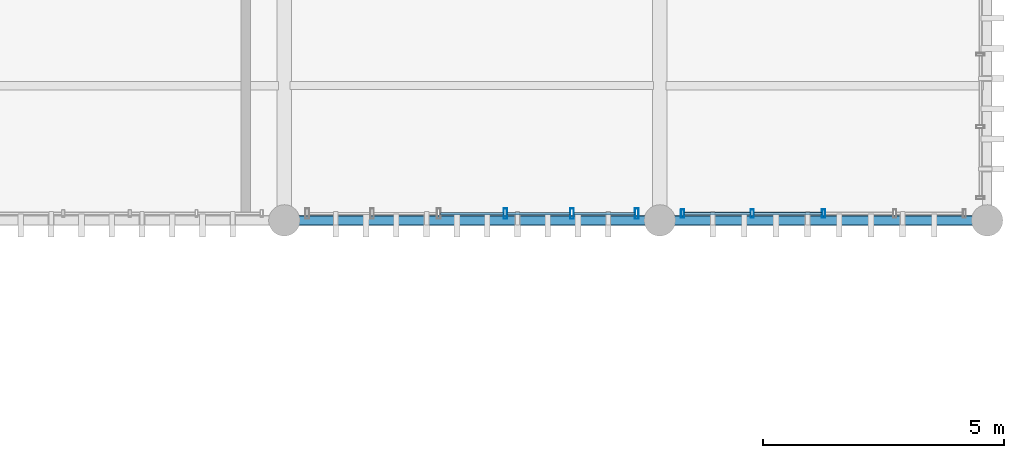
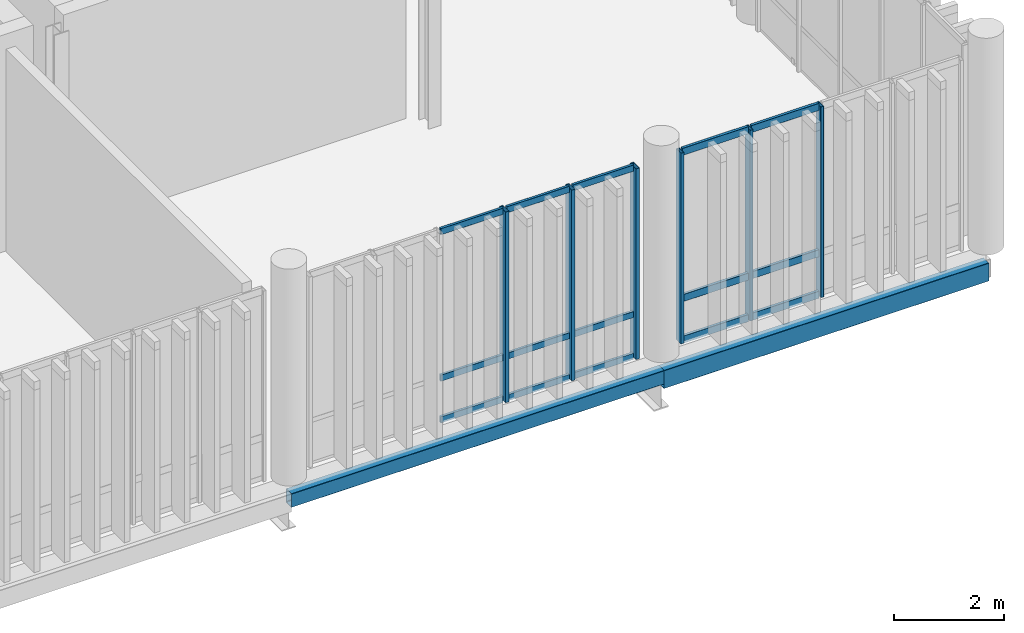
# One storey, part 47 of 86: 21 members, 2 beams, 2 elements without a shape of their own.
"""IFC4 building model written with IfcOpenShell, lengths in metres."""

from ifc_helpers import new_model, si_unit, direction, frame, origin_with_axes, origin_2d_with_axis, place, context, subcontext, project, spatial, hollow_rectangle, extrude, material, material_profile, profile_set, type_object, element, aggregate, save


model = new_model("IFC4")

# Units and contexts
model_context = context("Model", 3, precision=1e-05, world=origin_with_axes(), true_north=direction((0.0, 1.0)))
body_context = subcontext(model_context, "Body", "Model", "MODEL_VIEW")
ifc_project = project(units=[si_unit("LENGTHUNIT", "METRE"), si_unit("AREAUNIT", "SQUARE_METRE"), si_unit("VOLUMEUNIT", "CUBIC_METRE"), si_unit("PLANEANGLEUNIT", "RADIAN"), si_unit("MASSUNIT", "GRAM", prefix="KILO"), si_unit("THERMODYNAMICTEMPERATUREUNIT", "KELVIN")], contexts=[model_context])

# Site, building, storey
site_placement = place(None, origin_with_axes())
site = spatial("IfcSite", under=ifc_project, at=site_placement, CompositionType="ELEMENT")
building_placement = place(site_placement, origin_with_axes())
building = spatial("IfcBuilding", under=site, at=building_placement, Name="Montbau Bow Law Courts", CompositionType="ELEMENT")
storey_placement = place(building_placement, frame((0.0, 0.0, 29.7), z_axis=(0.0, 0.0, 1.0), x_axis=(1.0, 0.0, 0.0)))
storey = spatial("IfcBuildingStorey", under=building, at=storey_placement, Name="L06", CompositionType="ELEMENT", Elevation=29.7)

# Beams
ifc_material_1 = material(Name="Steel CSA G40.21 Grade 350WT (350 MPa)", Category="steel")
ifc_material_profile_1 = material_profile(ifc_material_1, hollow_rectangle(XDim=0.203, YDim=0.406, WallThickness=0.0127, InnerFilletRadius=0.0254, OuterFilletRadius=0.0127, at=origin_2d_with_axis()), Name="HSS406X203X13", Category="Main", Priority=0)
ifc_profile_set_1 = profile_set([ifc_material_profile_1], Name="Steel CSA G40.21 Grade 350WT (350 MPa)")
beam_type_1 = type_object("IfcBeamType", Name="B-SPN-01", PredefinedType="SPANDREL", material=ifc_profile_set_1)
beam_1_placement = place(None, frame((162.6, 78.0, 29.157), z_axis=(1.0, 0.0, 0.0), x_axis=(0.0, 1.0, 0.0)))
element("IfcBeam", 1, at=beam_1_placement, inside=storey, type_object=beam_type_1, Name="SPN-L06-S1301:bm2_1304", PredefinedType="SPANDREL", context=body_context, shape_type="SweptSolid", body=[
    extrude(hollow_rectangle(XDim=0.203, YDim=0.406, WallThickness=0.0127, InnerFilletRadius=0.0254, OuterFilletRadius=0.0127, at=origin_2d_with_axis()), origin_with_axes(), (0.0, 0.0, 1.0), 6.8),
])
ifc_material_profile_2 = material_profile(ifc_material_1, hollow_rectangle(XDim=0.203, YDim=0.305, WallThickness=0.0127, InnerFilletRadius=0.0254, OuterFilletRadius=0.0127, at=origin_2d_with_axis()), Name="HSS305X203X13", Category="Main", Priority=0)
ifc_profile_set_2 = profile_set([ifc_material_profile_2], Name="Steel CSA G40.21 Grade 350WT (350 MPa)")
beam_type_2 = type_object("IfcBeamType", Name="B-SPN-02", PredefinedType="SPANDREL", material=ifc_profile_set_2)
beam_2_placement = place(None, frame((154.8, 78.0, 29.207), z_axis=(1.0, 0.0, 0.0), x_axis=(0.0, 1.0, 0.0)))
element("IfcBeam", 2, at=beam_2_placement, inside=storey, type_object=beam_type_2, Name="SPN-L06-S1300:bm2_1303", PredefinedType="SPANDREL", context=body_context, shape_type="SweptSolid", body=[
    extrude(hollow_rectangle(XDim=0.203, YDim=0.305, WallThickness=0.0127, InnerFilletRadius=0.0254, OuterFilletRadius=0.0127, at=origin_2d_with_axis()), origin_with_axes(), (0.0, 0.0, 1.0), 7.8),
])

# Curtain wall, members
ifc_material_2 = material(Name="Thermally Broken Extruded Aluminium AA 6063-T6", Category="aluminium")
curtain_wall_type = type_object("IfcCurtainWallType", Name="CW-SLT-02", PredefinedType="NOTDEFINED", material=ifc_material_2)
curtain_wall_1_placement = place(None, frame((155.24, 78.14, 29.7), z_axis=(0.0, 0.0, 1.0), x_axis=(1.0, 0.0, 0.0)))
curtain_wall_1 = element("IfcCurtainWall", 3, at=curtain_wall_1_placement, inside=storey, type_object=curtain_wall_type, Name="CW-L06-351:cw_0351", PredefinedType="NOTDEFINED")
ifc_material_profile_3 = material_profile(ifc_material_2, hollow_rectangle(XDim=0.075, YDim=0.22, WallThickness=0.005, InnerFilletRadius=0.01, OuterFilletRadius=0.005, at=origin_2d_with_axis()), Name="CWM-220X75", Category="Main", Priority=0)
ifc_profile_set_3 = profile_set([ifc_material_profile_3], Name="Thermally Broken Extruded Aluminium AA 6063-T6")
member_type_1 = type_object("IfcMemberType", Name="M-MUL-01", PredefinedType="MULLION", material=ifc_profile_set_3)
member_1_placement = place(None, frame((159.392, 78.14, 29.7), z_axis=(0.0, 0.0, 1.0), x_axis=(1.0, 0.0, 0.0)))
member_1 = element("IfcMember", 4, at=member_1_placement, type_object=member_type_1, Name="CW-L06-351-M04:cw_0351_M04", PredefinedType="MULLION", context=body_context, shape_type="SweptSolid", body=[
    extrude(hollow_rectangle(XDim=0.075, YDim=0.22, WallThickness=0.005, InnerFilletRadius=0.01, OuterFilletRadius=0.005, at=origin_2d_with_axis()), origin_with_axes(), (0.0, 0.0, 1.0), 4.22),
])
member_2_placement = place(None, frame((160.776, 78.14, 29.7), z_axis=(0.0, 0.0, 1.0), x_axis=(1.0, 0.0, 0.0)))
member_2 = element("IfcMember", 5, at=member_2_placement, type_object=member_type_1, Name="CW-L06-351-M05:cw_0351_M05", PredefinedType="MULLION", context=body_context, shape_type="SweptSolid", body=[
    extrude(hollow_rectangle(XDim=0.075, YDim=0.22, WallThickness=0.005, InnerFilletRadius=0.01, OuterFilletRadius=0.005, at=origin_2d_with_axis()), origin_with_axes(), (0.0, 0.0, 1.0), 4.22),
])
member_3_placement = place(None, frame((162.122, 78.14, 29.7), z_axis=(0.0, 0.0, 1.0), x_axis=(1.0, 0.0, 0.0)))
member_3 = element("IfcMember", 6, at=member_3_placement, type_object=member_type_1, Name="CW-L06-351-M06:cw_0351_M06", PredefinedType="MULLION", context=body_context, shape_type="SweptSolid", body=[
    extrude(hollow_rectangle(XDim=0.075, YDim=0.22, WallThickness=0.005, InnerFilletRadius=0.01, OuterFilletRadius=0.005, at=origin_2d_with_axis()), origin_with_axes(), (0.0, 0.0, 1.0), 4.22),
])

curtain_wall_2_placement = place(None, frame((163.04, 78.14, 29.7), z_axis=(0.0, 0.0, 1.0), x_axis=(1.0, 0.0, 0.0)))
curtain_wall_2 = element("IfcCurtainWall", 7, at=curtain_wall_2_placement, inside=storey, type_object=curtain_wall_type, Name="CW-L06-352:cw_0352", PredefinedType="NOTDEFINED")
ifc_material_profile_4 = material_profile(ifc_material_2, hollow_rectangle(XDim=0.065, YDim=0.18, WallThickness=0.005, InnerFilletRadius=0.01, OuterFilletRadius=0.005, at=origin_2d_with_axis()), Name="CWM-180X65", Category="Main", Priority=0)
ifc_profile_set_4 = profile_set([ifc_material_profile_4], Name="Thermally Broken Extruded Aluminium AA 6063-T6")
member_type_2 = type_object("IfcMemberType", Name="M-MUL-02", PredefinedType="MULLION", material=ifc_profile_set_4)
member_4_placement = place(None, frame((163.073, 78.14, 29.7), z_axis=(0.0, 0.0, 1.0), x_axis=(1.0, 0.0, 0.0)))
member_4 = element("IfcMember", 8, at=member_4_placement, type_object=member_type_2, Name="CW-L06-352-M01:cw_0352_M01", PredefinedType="MULLION", context=body_context, shape_type="SweptSolid", body=[
    extrude(hollow_rectangle(XDim=0.065, YDim=0.18, WallThickness=0.005, InnerFilletRadius=0.01, OuterFilletRadius=0.005, at=origin_2d_with_axis()), origin_with_axes(), (0.0, 0.0, 1.0), 4.22),
])
member_5_placement = place(None, frame((164.52, 78.14, 29.7), z_axis=(0.0, 0.0, 1.0), x_axis=(1.0, 0.0, 0.0)))
member_5 = element("IfcMember", 9, at=member_5_placement, type_object=member_type_2, Name="CW-L06-352-M02:cw_0352_M02", PredefinedType="MULLION", context=body_context, shape_type="SweptSolid", body=[
    extrude(hollow_rectangle(XDim=0.065, YDim=0.18, WallThickness=0.005, InnerFilletRadius=0.01, OuterFilletRadius=0.005, at=origin_2d_with_axis()), origin_with_axes(), (0.0, 0.0, 1.0), 4.22),
])
member_6_placement = place(None, frame((166.0, 78.14, 29.7), z_axis=(0.0, 0.0, 1.0), x_axis=(1.0, 0.0, 0.0)))
member_6 = element("IfcMember", 10, at=member_6_placement, type_object=member_type_2, Name="CW-L06-352-M03:cw_0352_M03", PredefinedType="MULLION", context=body_context, shape_type="SweptSolid", body=[
    extrude(hollow_rectangle(XDim=0.065, YDim=0.18, WallThickness=0.005, InnerFilletRadius=0.01, OuterFilletRadius=0.005, at=origin_2d_with_axis()), origin_with_axes(), (0.0, 0.0, 1.0), 4.22),
])
ifc_material_profile_5 = material_profile(ifc_material_2, hollow_rectangle(XDim=0.06, YDim=0.16, WallThickness=0.004, InnerFilletRadius=0.008, OuterFilletRadius=0.004, at=origin_2d_with_axis()), Name="CWT-160X60", Category="Main", Priority=0)
ifc_profile_set_5 = profile_set([ifc_material_profile_5], Name="Thermally Broken Extruded Aluminium AA 6063-T6")
member_type_3 = type_object("IfcMemberType", Name="M-TRN-01", PredefinedType="USERDEFINED", material=ifc_profile_set_5)
member_7_placement = place(None, frame((163.108, 78.14, 29.73), z_axis=(1.0, 0.0, 0.0), x_axis=(0.0, 1.0, 0.0)))
member_7 = element("IfcMember", 11, at=member_7_placement, type_object=member_type_3, Name="CW-L06-352-T01-1:cw_0352_T01_1", ObjectType="TRANSOM", PredefinedType="USERDEFINED", context=body_context, shape_type="SweptSolid", body=[
    extrude(hollow_rectangle(XDim=0.06, YDim=0.16, WallThickness=0.004, InnerFilletRadius=0.008, OuterFilletRadius=0.004, at=origin_2d_with_axis()), origin_with_axes(), (0.0, 0.0, 1.0), 1.378),
])
member_8_placement = place(None, frame((163.108, 78.14, 30.65), z_axis=(1.0, 0.0, 0.0), x_axis=(0.0, 1.0, 0.0)))
member_8 = element("IfcMember", 12, at=member_8_placement, type_object=member_type_3, Name="CW-L06-352-T01-2:cw_0352_T01_2", ObjectType="TRANSOM", PredefinedType="USERDEFINED", context=body_context, shape_type="SweptSolid", body=[
    extrude(hollow_rectangle(XDim=0.06, YDim=0.16, WallThickness=0.004, InnerFilletRadius=0.008, OuterFilletRadius=0.004, at=origin_2d_with_axis()), origin_with_axes(), (0.0, 0.0, 1.0), 1.378),
])
member_9_placement = place(None, frame((163.108, 78.14, 33.89), z_axis=(1.0, 0.0, 0.0), x_axis=(0.0, 1.0, 0.0)))
member_9 = element("IfcMember", 13, at=member_9_placement, type_object=member_type_3, Name="CW-L06-352-T01-3:cw_0352_T01_3", ObjectType="TRANSOM", PredefinedType="USERDEFINED", context=body_context, shape_type="SweptSolid", body=[
    extrude(hollow_rectangle(XDim=0.06, YDim=0.16, WallThickness=0.004, InnerFilletRadius=0.008, OuterFilletRadius=0.004, at=origin_2d_with_axis()), origin_with_axes(), (0.0, 0.0, 1.0), 1.378),
])
member_10_placement = place(None, frame((164.554, 78.14, 29.73), z_axis=(1.0, 0.0, 0.0), x_axis=(0.0, 1.0, 0.0)))
member_10 = element("IfcMember", 14, at=member_10_placement, type_object=member_type_3, Name="CW-L06-352-T02-1:cw_0352_T02_1", ObjectType="TRANSOM", PredefinedType="USERDEFINED", context=body_context, shape_type="SweptSolid", body=[
    extrude(hollow_rectangle(XDim=0.06, YDim=0.16, WallThickness=0.004, InnerFilletRadius=0.008, OuterFilletRadius=0.004, at=origin_2d_with_axis()), origin_with_axes(), (0.0, 0.0, 1.0), 1.411),
])
member_11_placement = place(None, frame((164.554, 78.14, 30.65), z_axis=(1.0, 0.0, 0.0), x_axis=(0.0, 1.0, 0.0)))
member_11 = element("IfcMember", 15, at=member_11_placement, type_object=member_type_3, Name="CW-L06-352-T02-2:cw_0352_T02_2", ObjectType="TRANSOM", PredefinedType="USERDEFINED", context=body_context, shape_type="SweptSolid", body=[
    extrude(hollow_rectangle(XDim=0.06, YDim=0.16, WallThickness=0.004, InnerFilletRadius=0.008, OuterFilletRadius=0.004, at=origin_2d_with_axis()), origin_with_axes(), (0.0, 0.0, 1.0), 1.411),
])
member_12_placement = place(None, frame((164.554, 78.14, 33.89), z_axis=(1.0, 0.0, 0.0), x_axis=(0.0, 1.0, 0.0)))
member_12 = element("IfcMember", 16, at=member_12_placement, type_object=member_type_3, Name="CW-L06-352-T02-3:cw_0352_T02_3", ObjectType="TRANSOM", PredefinedType="USERDEFINED", context=body_context, shape_type="SweptSolid", body=[
    extrude(hollow_rectangle(XDim=0.06, YDim=0.16, WallThickness=0.004, InnerFilletRadius=0.008, OuterFilletRadius=0.004, at=origin_2d_with_axis()), origin_with_axes(), (0.0, 0.0, 1.0), 1.411),
])
aggregate(curtain_wall_2, [member_4, member_5, member_6, member_7, member_8, member_9, member_10, member_11, member_12])

# Member
ifc_material_profile_6 = material_profile(ifc_material_2, hollow_rectangle(XDim=0.055, YDim=0.14, WallThickness=0.004, InnerFilletRadius=0.008, OuterFilletRadius=0.004, at=origin_2d_with_axis()), Name="CWT-140X55", Category="Main", Priority=0)
ifc_profile_set_6 = profile_set([ifc_material_profile_6], Name="Thermally Broken Extruded Aluminium AA 6063-T6")
member_type_4 = type_object("IfcMemberType", Name="M-TRN-02", PredefinedType="USERDEFINED", material=ifc_profile_set_6)
member_13_placement = place(None, frame((158.047, 78.14, 29.727), z_axis=(1.0, 0.0, 0.0), x_axis=(0.0, 1.0, 0.0)))
member_13 = element("IfcMember", 17, at=member_13_placement, type_object=member_type_4, Name="CW-L06-351-T03-1:cw_0351_T03_1", ObjectType="TRANSOM", PredefinedType="USERDEFINED", context=body_context, shape_type="SweptSolid", body=[
    extrude(hollow_rectangle(XDim=0.055, YDim=0.14, WallThickness=0.004, InnerFilletRadius=0.008, OuterFilletRadius=0.004, at=origin_2d_with_axis()), origin_with_axes(), (0.0, 0.0, 1.0), 1.306),
])

member_14_placement = place(None, frame((158.047, 78.14, 30.65), z_axis=(1.0, 0.0, 0.0), x_axis=(0.0, 1.0, 0.0)))
member_14 = element("IfcMember", 18, at=member_14_placement, type_object=member_type_4, Name="CW-L06-351-T03-2:cw_0351_T03_2", ObjectType="TRANSOM", PredefinedType="USERDEFINED", context=body_context, shape_type="SweptSolid", body=[
    extrude(hollow_rectangle(XDim=0.055, YDim=0.14, WallThickness=0.004, InnerFilletRadius=0.008, OuterFilletRadius=0.004, at=origin_2d_with_axis()), origin_with_axes(), (0.0, 0.0, 1.0), 1.306),
])

member_15_placement = place(None, frame((158.047, 78.14, 33.892), z_axis=(1.0, 0.0, 0.0), x_axis=(0.0, 1.0, 0.0)))
member_15 = element("IfcMember", 19, at=member_15_placement, type_object=member_type_4, Name="CW-L06-351-T03-3:cw_0351_T03_3", ObjectType="TRANSOM", PredefinedType="USERDEFINED", context=body_context, shape_type="SweptSolid", body=[
    extrude(hollow_rectangle(XDim=0.055, YDim=0.14, WallThickness=0.004, InnerFilletRadius=0.008, OuterFilletRadius=0.004, at=origin_2d_with_axis()), origin_with_axes(), (0.0, 0.0, 1.0), 1.306),
])

member_16_placement = place(None, frame((159.431, 78.14, 29.727), z_axis=(1.0, 0.0, 0.0), x_axis=(0.0, 1.0, 0.0)))
member_16 = element("IfcMember", 20, at=member_16_placement, type_object=member_type_4, Name="CW-L06-351-T04-1:cw_0351_T04_1", ObjectType="TRANSOM", PredefinedType="USERDEFINED", context=body_context, shape_type="SweptSolid", body=[
    extrude(hollow_rectangle(XDim=0.055, YDim=0.14, WallThickness=0.004, InnerFilletRadius=0.008, OuterFilletRadius=0.004, at=origin_2d_with_axis()), origin_with_axes(), (0.0, 0.0, 1.0), 1.306),
])

member_17_placement = place(None, frame((159.431, 78.14, 30.65), z_axis=(1.0, 0.0, 0.0), x_axis=(0.0, 1.0, 0.0)))
member_17 = element("IfcMember", 21, at=member_17_placement, type_object=member_type_4, Name="CW-L06-351-T04-2:cw_0351_T04_2", ObjectType="TRANSOM", PredefinedType="USERDEFINED", context=body_context, shape_type="SweptSolid", body=[
    extrude(hollow_rectangle(XDim=0.055, YDim=0.14, WallThickness=0.004, InnerFilletRadius=0.008, OuterFilletRadius=0.004, at=origin_2d_with_axis()), origin_with_axes(), (0.0, 0.0, 1.0), 1.306),
])

member_18_placement = place(None, frame((159.431, 78.14, 33.892), z_axis=(1.0, 0.0, 0.0), x_axis=(0.0, 1.0, 0.0)))
member_18 = element("IfcMember", 22, at=member_18_placement, type_object=member_type_4, Name="CW-L06-351-T04-3:cw_0351_T04_3", ObjectType="TRANSOM", PredefinedType="USERDEFINED", context=body_context, shape_type="SweptSolid", body=[
    extrude(hollow_rectangle(XDim=0.055, YDim=0.14, WallThickness=0.004, InnerFilletRadius=0.008, OuterFilletRadius=0.004, at=origin_2d_with_axis()), origin_with_axes(), (0.0, 0.0, 1.0), 1.306),
])

member_19_placement = place(None, frame((160.815, 78.14, 29.727), z_axis=(1.0, 0.0, 0.0), x_axis=(0.0, 1.0, 0.0)))
member_19 = element("IfcMember", 23, at=member_19_placement, type_object=member_type_4, Name="CW-L06-351-T05-1:cw_0351_T05_1", ObjectType="TRANSOM", PredefinedType="USERDEFINED", context=body_context, shape_type="SweptSolid", body=[
    extrude(hollow_rectangle(XDim=0.055, YDim=0.14, WallThickness=0.004, InnerFilletRadius=0.008, OuterFilletRadius=0.004, at=origin_2d_with_axis()), origin_with_axes(), (0.0, 0.0, 1.0), 1.268),
])

member_20_placement = place(None, frame((160.815, 78.14, 30.65), z_axis=(1.0, 0.0, 0.0), x_axis=(0.0, 1.0, 0.0)))
member_20 = element("IfcMember", 24, at=member_20_placement, type_object=member_type_4, Name="CW-L06-351-T05-2:cw_0351_T05_2", ObjectType="TRANSOM", PredefinedType="USERDEFINED", context=body_context, shape_type="SweptSolid", body=[
    extrude(hollow_rectangle(XDim=0.055, YDim=0.14, WallThickness=0.004, InnerFilletRadius=0.008, OuterFilletRadius=0.004, at=origin_2d_with_axis()), origin_with_axes(), (0.0, 0.0, 1.0), 1.268),
])

member_21_placement = place(None, frame((160.815, 78.14, 33.892), z_axis=(1.0, 0.0, 0.0), x_axis=(0.0, 1.0, 0.0)))
member_21 = element("IfcMember", 25, at=member_21_placement, type_object=member_type_4, Name="CW-L06-351-T05-3:cw_0351_T05_3", ObjectType="TRANSOM", PredefinedType="USERDEFINED", context=body_context, shape_type="SweptSolid", body=[
    extrude(hollow_rectangle(XDim=0.055, YDim=0.14, WallThickness=0.004, InnerFilletRadius=0.008, OuterFilletRadius=0.004, at=origin_2d_with_axis()), origin_with_axes(), (0.0, 0.0, 1.0), 1.268),
])

aggregate(curtain_wall_1, [member_1, member_2, member_3, member_13, member_14, member_15, member_16, member_17, member_18, member_19, member_20, member_21])

save(model, "model.ifc")
